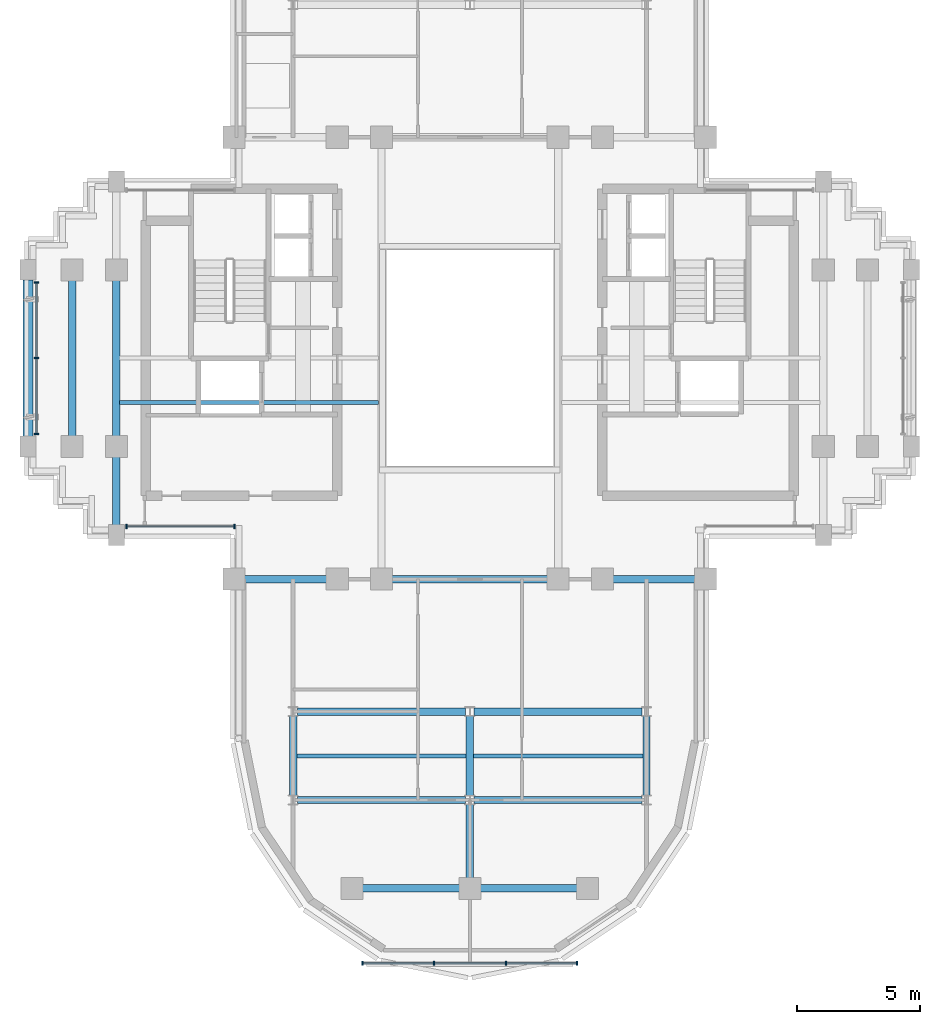
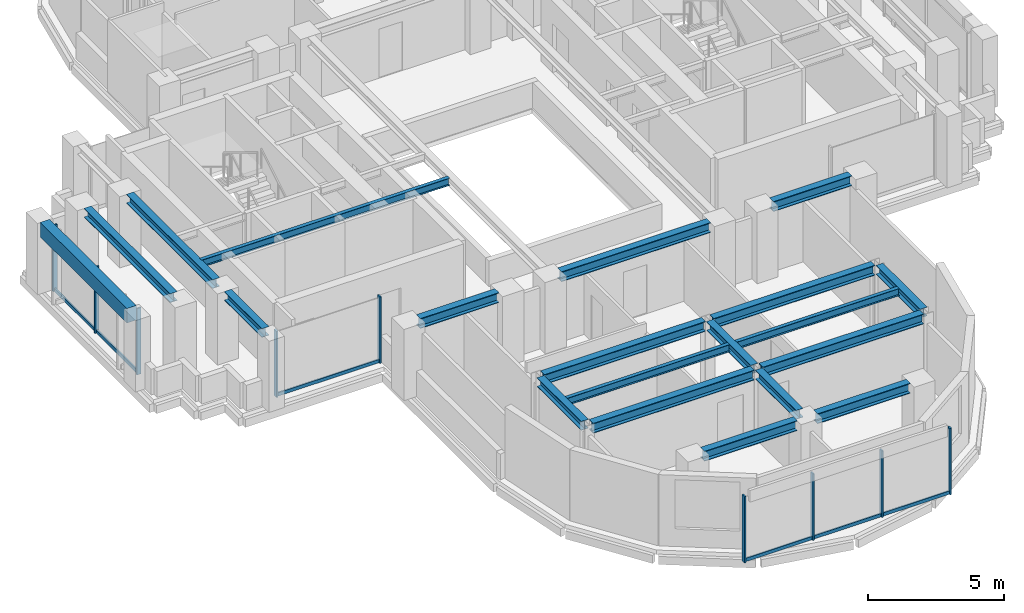
# One storey, part 2 of 11: 20 beams, 15 members, 3 elements without a shape of their own.
"""IFC4 building model written with IfcOpenShell, lengths in metres."""

from ifc_helpers import new_model, si_unit, direction, frame, origin, origin_2d, place, context, subcontext, project, spatial, rectangle, i_section, extrude, source, transform, mapped, material, material_profile, profile_set, type_object, element, aggregate, save


model = new_model("IFC4")

# Units and contexts
model_context = context("Model", 3, precision=1e-05, world=origin(), true_north=direction((0.0, 1.0)))
body_context = subcontext(model_context, "Body", "Model", "MODEL_VIEW")
ifc_project = project(units=[si_unit("LENGTHUNIT", "METRE"), si_unit("AREAUNIT", "SQUARE_METRE"), si_unit("VOLUMEUNIT", "CUBIC_METRE"), si_unit("PLANEANGLEUNIT", "RADIAN"), si_unit("MASSUNIT", "GRAM", prefix="KILO")], contexts=[model_context])

# Site, building, storey
site_placement = place(None, origin())
site = spatial("IfcSite", under=ifc_project, at=site_placement, CompositionType="ELEMENT")
building_placement = place(site_placement, origin())
building = spatial("IfcBuilding", under=site, at=building_placement, Name="Keilestroom Media Tower", CompositionType="ELEMENT")
storey_placement = place(building_placement, frame((0.0, 0.0, 204.60009765625)))
storey = spatial("IfcBuildingStorey", under=building, at=storey_placement, Name="L56", CompositionType="ELEMENT", Elevation=204.60009765625)

# Beams
ifc_material_1 = material(Name="Steel S355", Category="steel")
ifc_material_profile_1 = material_profile(ifc_material_1, i_section(OverallWidth=0.300048828125, OverallDepth=0.449951171875, WebThickness=0.011962890625, FlangeThickness=0.02587890625, at=origin_2d()), Name="HEB 450")
ifc_profile_set_1 = profile_set([ifc_material_profile_1], Name="Steel S355")
beam_type_1 = type_object("IfcBeamType", Name="Primary-Structural-Girder-HEB-450", PredefinedType="BEAM", material=ifc_profile_set_1)
shared_shape_1 = source(origin(), body_context, "Body", "SweptSolid", [
    extrude(i_section(OverallWidth=0.300048828125, OverallDepth=0.449951171875, WebThickness=0.011962890625, FlangeThickness=0.02587890625, at=origin_2d()), origin(), (0.0, 0.0, 1.0), 3.940185546875),
])
for number, where, z_axis, x_axis, name in (
    (1, (-4.3701171875, -21.60009765625, 2.974853515625), (1.0, 0.0, 0.0), (0.0, 1.0, 0.0), "L56 Beam BG-7 BM-L56-EW-001"),
    (2, (0.429931640625, -21.60009765625, 2.974853515625), (1.0, 0.0, 0.0), (0.0, 1.0, 0.0), "L56 Beam BG-7 BM-L56-EW-002"),
):
    element("IfcBeam", number, at=place(storey_placement, frame(where, z_axis=z_axis, x_axis=x_axis)), inside=storey, type_object=beam_type_1, Name=name, PredefinedType="BEAM", context=body_context, shape_type="MappedRepresentation", body=[
        mapped(shared_shape_1, transform((0.0, 0.0, 0.0), x_axis=(1.0, 0.0, 0.0), y_axis=(0.0, 1.0, 0.0), z_axis=(0.0, 0.0, 1.0), scale=1.0)),
    ])
shared_shape_2 = source(origin(), body_context, "Body", "SweptSolid", [
    extrude(i_section(OverallWidth=0.300048828125, OverallDepth=0.449951171875, WebThickness=0.011962890625, FlangeThickness=0.02587890625, at=origin_2d()), origin(), (0.0, 0.0, 1.0), 6.842041015625),
])
for number, where, z_axis, x_axis, name in (
    (3, (-7.02099609375, -18.0, 2.974853515625), (1.0, 0.0, 0.0), (0.0, 1.0, 0.0), "L56 Beam BG-7 BM-L56-EW-003"),
    (4, (0.178955078125, -18.0, 2.974853515625), (1.0, 0.0, 0.0), (0.0, 1.0, 0.0), "L56 Beam BG-7 BM-L56-EW-004"),
    (5, (-7.02099609375, -14.39990234375, 2.974853515625), (1.0, 0.0, 0.0), (0.0, 1.0, 0.0), "L56 Beam BG-7 BM-L56-EW-005"),
    (6, (0.178955078125, -14.39990234375, 2.974853515625), (1.0, 0.0, 0.0), (0.0, 1.0, 0.0), "L56 Beam BG-7 BM-L56-EW-006"),
):
    element("IfcBeam", number, at=place(storey_placement, frame(where, z_axis=z_axis, x_axis=x_axis)), inside=storey, type_object=beam_type_1, Name=name, PredefinedType="BEAM", context=body_context, shape_type="MappedRepresentation", body=[
        mapped(shared_shape_2, transform((0.0, 0.0, 0.0), x_axis=(1.0, 0.0, 0.0), y_axis=(0.0, 1.0, 0.0), z_axis=(0.0, 0.0, 1.0), scale=1.0)),
    ])
shared_shape_3 = source(origin(), body_context, "Body", "SweptSolid", [
    extrude(i_section(OverallWidth=0.300048828125, OverallDepth=0.449951171875, WebThickness=0.011962890625, FlangeThickness=0.02587890625, at=origin_2d()), origin(), (0.0, 0.0, 1.0), 3.33984375),
])
for number, where, z_axis, x_axis, name in (
    (7, (-9.169921875, -9.0, 2.974853515625), (1.0, 0.0, 0.0), (0.0, 1.0, 0.0), "L56 Beam BG-7 BM-L56-EW-007"),
    (8, (5.830078125, -9.0, 2.974853515625), (1.0, 0.0, 0.0), (0.0, 1.0, 0.0), "L56 Beam BG-7 BM-L56-EW-011"),
):
    element("IfcBeam", number, at=place(storey_placement, frame(where, z_axis=z_axis, x_axis=x_axis)), inside=storey, type_object=beam_type_1, Name=name, PredefinedType="BEAM", context=body_context, shape_type="MappedRepresentation", body=[
        mapped(shared_shape_3, transform((0.0, 0.0, 0.0), x_axis=(1.0, 0.0, 0.0), y_axis=(0.0, 1.0, 0.0), z_axis=(0.0, 0.0, 1.0), scale=1.0)),
    ])
shared_shape_4 = source(origin(), body_context, "Body", "SweptSolid", [
    extrude(i_section(OverallWidth=0.300048828125, OverallDepth=0.449951171875, WebThickness=0.011962890625, FlangeThickness=0.02587890625, at=origin_2d()), origin(), (0.0, 0.0, 1.0), 6.33984375),
])
beam_1_placement = place(storey_placement, frame((-3.169921875, -9.0, 2.974853515625), z_axis=(1.0, 0.0, 0.0), x_axis=(0.0, 1.0, 0.0)))
element("IfcBeam", 9, at=beam_1_placement, inside=storey, type_object=beam_type_1, Name="L56 Beam BG-7 BM-L56-EW-009", PredefinedType="BEAM", context=body_context, shape_type="MappedRepresentation", body=[
    mapped(shared_shape_4, transform((0.0, 0.0, 0.0), x_axis=(1.0, 0.0, 0.0), y_axis=(0.0, 1.0, 0.0), z_axis=(0.0, 0.0, 1.0), scale=1.0)),
])
ifc_material_2 = material(Name="Precast concrete C40/50", Category="concrete")
ifc_material_profile_2 = material_profile(ifc_material_2, rectangle(XDim=0.39990234375, YDim=0.64990234375, at=origin_2d()), Name="PC 400x650")
ifc_profile_set_2 = profile_set([ifc_material_profile_2], Name="Precast concrete C40/50")
beam_type_2 = type_object("IfcBeamType", Name="Perimeter-Spandrel-Beam-PC-400x650", PredefinedType="SPANDREL", material=ifc_profile_set_2)
shared_shape_5 = source(origin(), body_context, "Body", "SweptSolid", [
    extrude(rectangle(XDim=0.39990234375, YDim=0.64990234375, at=origin_2d()), origin(), (0.0, 0.0, 1.0), 6.39013671875),
])
beam_2_placement = place(storey_placement, frame((-18.0, -3.195068359375, 2.875), z_axis=(0.0, 1.0, 0.0), x_axis=(-1.0, 0.0, 0.0)))
element("IfcBeam", 10, at=beam_2_placement, inside=storey, type_object=beam_type_2, Name="L56 Beam SPB-2 BM-L56-NS-031", PredefinedType="SPANDREL", context=body_context, shape_type="MappedRepresentation", body=[
    mapped(shared_shape_5, transform((0.0, 0.0, 0.0), x_axis=(1.0, 0.0, 0.0), y_axis=(0.0, 1.0, 0.0), z_axis=(0.0, 0.0, 1.0), scale=1.0)),
])
ifc_material_profile_3 = material_profile(ifc_material_1, i_section(OverallWidth=0.300048828125, OverallDepth=0.39990234375, WebThickness=0.011474609375, FlangeThickness=0.02392578125, at=origin_2d()), Name="HEB 400")
ifc_profile_set_3 = profile_set([ifc_material_profile_3], Name="Steel S355")
beam_type_3 = type_object("IfcBeamType", Name="Primary-Structural-Girder-HEB-400", PredefinedType="BEAM", material=ifc_profile_set_3)
shared_shape_6 = source(origin(), body_context, "Body", "SweptSolid", [
    extrude(i_section(OverallWidth=0.300048828125, OverallDepth=0.39990234375, WebThickness=0.011474609375, FlangeThickness=0.02392578125, at=origin_2d()), origin(), (0.0, 0.0, 1.0), 6.33984375),
])
for number, where, z_axis, x_axis, name in (
    (11, (-16.199951171875, -3.169921875, 3.0), (0.0, 1.0, 0.0), (-1.0, 0.0, 0.0), "L56 Beam BG-8 BM-L56-NS-032"),
    (12, (-14.39990234375, -3.169921875, 3.0), (0.0, 1.0, 0.0), (-1.0, 0.0, 0.0), "L56 Beam BG-8 BM-L56-NS-034"),
):
    element("IfcBeam", number, at=place(storey_placement, frame(where, z_axis=z_axis, x_axis=x_axis)), inside=storey, type_object=beam_type_3, Name=name, PredefinedType="BEAM", context=body_context, shape_type="MappedRepresentation", body=[
        mapped(shared_shape_6, transform((0.0, 0.0, 0.0), x_axis=(1.0, 0.0, 0.0), y_axis=(0.0, 1.0, 0.0), z_axis=(0.0, 0.0, 1.0), scale=1.0)),
    ])
shared_shape_7 = source(origin(), body_context, "Body", "SweptSolid", [
    extrude(i_section(OverallWidth=0.300048828125, OverallDepth=0.39990234375, WebThickness=0.011474609375, FlangeThickness=0.02392578125, at=origin_2d()), origin(), (0.0, 0.0, 1.0), 2.764892578125),
])
beam_3_placement = place(storey_placement, frame((-14.39990234375, -6.794921875, 3.0), z_axis=(0.0, 1.0, 0.0), x_axis=(-1.0, 0.0, 0.0)))
element("IfcBeam", 13, at=beam_3_placement, inside=storey, type_object=beam_type_3, Name="L56 Beam BG-8 BM-L56-NS-033", PredefinedType="BEAM", context=body_context, shape_type="MappedRepresentation", body=[
    mapped(shared_shape_7, transform((0.0, 0.0, 0.0), x_axis=(1.0, 0.0, 0.0), y_axis=(0.0, 1.0, 0.0), z_axis=(0.0, 0.0, 1.0), scale=1.0)),
])
shared_shape_8 = source(origin(), body_context, "Body", "SweptSolid", [
    extrude(i_section(OverallWidth=0.300048828125, OverallDepth=0.39990234375, WebThickness=0.011474609375, FlangeThickness=0.02392578125, at=origin_2d()), origin(), (0.0, 0.0, 1.0), 3.2529296875),
])
for number, where, z_axis, x_axis, name in (
    (14, (-7.199951171875, -17.826416015625, 3.0), (0.0, 1.0, 0.0), (-1.0, 0.0, 0.0), "L56 Beam BG-8 BM-L56-NS-037"),
    (15, (0.0, -17.826416015625, 3.0), (0.0, 1.0, 0.0), (-1.0, 0.0, 0.0), "L56 Beam BG-8 BM-L56-NS-042"),
    (16, (7.199951171875, -17.826416015625, 3.0), (0.0, 1.0, 0.0), (-1.0, 0.0, 0.0), "L56 Beam BG-8 BM-L56-NS-047"),
):
    element("IfcBeam", number, at=place(storey_placement, frame(where, z_axis=z_axis, x_axis=x_axis)), inside=storey, type_object=beam_type_3, Name=name, PredefinedType="BEAM", context=body_context, shape_type="MappedRepresentation", body=[
        mapped(shared_shape_8, transform((0.0, 0.0, 0.0), x_axis=(1.0, 0.0, 0.0), y_axis=(0.0, 1.0, 0.0), z_axis=(0.0, 0.0, 1.0), scale=1.0)),
    ])
shared_shape_9 = source(origin(), body_context, "Body", "SweptSolid", [
    extrude(i_section(OverallWidth=0.300048828125, OverallDepth=0.39990234375, WebThickness=0.011474609375, FlangeThickness=0.02392578125, at=origin_2d()), origin(), (0.0, 0.0, 1.0), 2.996337890625),
])
beam_4_placement = place(storey_placement, frame((0.0, -21.169921875, 3.0), z_axis=(0.0, 1.0, 0.0), x_axis=(-1.0, 0.0, 0.0)))
element("IfcBeam", 17, at=beam_4_placement, inside=storey, type_object=beam_type_3, Name="L56 Beam BG-8 BM-L56-NS-041", PredefinedType="BEAM", context=body_context, shape_type="MappedRepresentation", body=[
    mapped(shared_shape_9, transform((0.0, 0.0, 0.0), x_axis=(1.0, 0.0, 0.0), y_axis=(0.0, 1.0, 0.0), z_axis=(0.0, 0.0, 1.0), scale=1.0)),
])
ifc_material_profile_4 = material_profile(ifc_material_1, i_section(OverallWidth=0.159912109375, OverallDepth=0.330078125, WebThickness=0.007568359375, FlangeThickness=0.011474609375, at=origin_2d()), Name="IPE 330")
ifc_profile_set_4 = profile_set([ifc_material_profile_4], Name="Steel S355")
beam_type_4 = type_object("IfcBeamType", Name="Secondary-Floor-Joist-IPE-330", PredefinedType="JOIST", material=ifc_profile_set_4)
shared_shape_10 = source(origin(), body_context, "Body", "SweptSolid", [
    extrude(i_section(OverallWidth=0.159912109375, OverallDepth=0.330078125, WebThickness=0.007568359375, FlangeThickness=0.011474609375, at=origin_2d()), origin(), (0.0, 0.0, 1.0), 6.940185546875),
])
for number, where, z_axis, x_axis, name in (
    (18, (-7.070068359375, -16.199951171875, 3.034912109375), (1.0, 0.0, 0.0), (0.0, 1.0, 0.0), "L56 Beam BJ-6 JST-L56-055"),
    (19, (0.1298828125, -16.199951171875, 3.034912109375), (1.0, 0.0, 0.0), (0.0, 1.0, 0.0), "L56 Beam BJ-6 JST-L56-056"),
):
    element("IfcBeam", number, at=place(storey_placement, frame(where, z_axis=z_axis, x_axis=x_axis)), inside=storey, type_object=beam_type_4, Name=name, PredefinedType="JOIST", context=body_context, shape_type="MappedRepresentation", body=[
        mapped(shared_shape_10, transform((0.0, 0.0, 0.0), x_axis=(1.0, 0.0, 0.0), y_axis=(0.0, 1.0, 0.0), z_axis=(0.0, 0.0, 1.0), scale=1.0)),
    ])
shared_shape_11 = source(origin(), body_context, "Body", "SweptSolid", [
    extrude(i_section(OverallWidth=0.159912109375, OverallDepth=0.330078125, WebThickness=0.007568359375, FlangeThickness=0.011474609375, at=origin_2d()), origin(), (0.0, 0.0, 1.0), 10.5400390625),
])
beam_5_placement = place(storey_placement, frame((-14.27001953125, -1.800048828125, 3.034912109375), z_axis=(1.0, 0.0, 0.0), x_axis=(0.0, 1.0, 0.0)))
element("IfcBeam", 20, at=beam_5_placement, inside=storey, type_object=beam_type_4, Name="L56 Beam BJ-6 JST-L56-057", PredefinedType="JOIST", context=body_context, shape_type="MappedRepresentation", body=[
    mapped(shared_shape_11, transform((0.0, 0.0, 0.0), x_axis=(1.0, 0.0, 0.0), y_axis=(0.0, 1.0, 0.0), z_axis=(0.0, 0.0, 1.0), scale=1.0)),
])

# Curtain wall, members
ifc_material_3 = material(Name="Anodised Aluminium Alloy", Category="aluminium")
curtain_wall_type_1 = type_object("IfcCurtainWallType", Name="Unitised-Curtain-Wall-CW-6", PredefinedType="NOTDEFINED", material=ifc_material_3)
curtain_wall_1_placement = place(storey_placement, origin())
curtain_wall_1 = element("IfcCurtainWall", 21, at=curtain_wall_1_placement, inside=storey, type_object=curtain_wall_type_1, Name="L56 Curtain Wall CW-6 CW-L56-LS-1", PredefinedType="NOTDEFINED")
ifc_material_profile_5 = material_profile(ifc_material_3, rectangle(XDim=0.06494140625, YDim=0.179931640625, at=origin_2d()), Name="ALU MULLION 65x180")
ifc_profile_set_5 = profile_set([ifc_material_profile_5], Name="Anodised Aluminium Alloy")
member_type_1 = type_object("IfcMemberType", Name="Curtain-Wall-Mullion-CW-6", PredefinedType="MULLION", material=ifc_profile_set_5)
shared_shape_12 = source(origin(), body_context, "Body", "SweptSolid", [
    extrude(rectangle(XDim=0.06494140625, YDim=0.179931640625, at=origin_2d()), origin(), (0.0, 0.0, 1.0), 2.97998046875),
])
member_1_placement = place(storey_placement, frame((-4.367431640625, -24.64990234375, 0.0), z_axis=(0.0, 0.0, 1.0), x_axis=(1.0, 0.0, 0.0)))
member_1 = element("IfcMember", 22, at=member_1_placement, type_object=member_type_1, Name="CW-6 Mullion 00", PredefinedType="MULLION", context=body_context, shape_type="MappedRepresentation", body=[
    mapped(shared_shape_12, transform((0.0, 0.0, 0.0), x_axis=(1.0, 0.0, 0.0), y_axis=(0.0, 1.0, 0.0), z_axis=(0.0, 0.0, 1.0), scale=1.0)),
])
member_2_placement = place(storey_placement, frame((-1.466796875, -24.64990234375, 0.0), z_axis=(0.0, 0.0, 1.0), x_axis=(1.0, 0.0, 0.0)))
member_2 = element("IfcMember", 23, at=member_2_placement, type_object=member_type_1, Name="CW-6 Mullion 01", PredefinedType="MULLION", context=body_context, shape_type="MappedRepresentation", body=[
    mapped(shared_shape_12, transform((0.0, 0.0, 0.0), x_axis=(1.0, 0.0, 0.0), y_axis=(0.0, 1.0, 0.0), z_axis=(0.0, 0.0, 1.0), scale=1.0)),
])
member_3_placement = place(storey_placement, frame((1.466796875, -24.64990234375, 0.0), z_axis=(0.0, 0.0, 1.0), x_axis=(1.0, 0.0, 0.0)))
member_3 = element("IfcMember", 24, at=member_3_placement, type_object=member_type_1, Name="CW-6 Mullion 02", PredefinedType="MULLION", context=body_context, shape_type="MappedRepresentation", body=[
    mapped(shared_shape_12, transform((0.0, 0.0, 0.0), x_axis=(1.0, 0.0, 0.0), y_axis=(0.0, 1.0, 0.0), z_axis=(0.0, 0.0, 1.0), scale=1.0)),
])
member_4_placement = place(storey_placement, frame((4.367431640625, -24.64990234375, 0.0), z_axis=(0.0, 0.0, 1.0), x_axis=(1.0, 0.0, 0.0)))
member_4 = element("IfcMember", 25, at=member_4_placement, type_object=member_type_1, Name="CW-6 Mullion 03", PredefinedType="MULLION", context=body_context, shape_type="MappedRepresentation", body=[
    mapped(shared_shape_12, transform((0.0, 0.0, 0.0), x_axis=(1.0, 0.0, 0.0), y_axis=(0.0, 1.0, 0.0), z_axis=(0.0, 0.0, 1.0), scale=1.0)),
])
ifc_material_profile_6 = material_profile(ifc_material_3, rectangle(XDim=0.06494140625, YDim=0.14990234375, at=origin_2d()), Name="ALU TRANSOM 65x150")
ifc_profile_set_6 = profile_set([ifc_material_profile_6], Name="Anodised Aluminium Alloy")
member_type_2 = type_object("IfcMemberType", Name="Curtain-Wall-Transom-CW-6", PredefinedType="USERDEFINED", material=ifc_profile_set_6)
shared_shape_13 = source(origin(), body_context, "Body", "SweptSolid", [
    extrude(rectangle(XDim=0.06494140625, YDim=0.14990234375, at=origin_2d()), origin(), (0.0, 0.0, 1.0), 2.839599609375),
])
member_5_placement = place(storey_placement, frame((-4.3369140625, -24.64990234375, 0.074951171875), z_axis=(1.0, 0.0, 0.0), x_axis=(0.0, 1.0, 0.0)))
member_5 = element("IfcMember", 26, at=member_5_placement, type_object=member_type_2, Name="CW-6 Transom 00.1", ObjectType="TRANSOM", PredefinedType="USERDEFINED", context=body_context, shape_type="MappedRepresentation", body=[
    mapped(shared_shape_13, transform((0.0, 0.0, 0.0), x_axis=(1.0, 0.0, 0.0), y_axis=(0.0, 1.0, 0.0), z_axis=(0.0, 0.0, 1.0), scale=1.0)),
])
member_6_placement = place(storey_placement, frame((1.497314453125, -24.64990234375, 0.074951171875), z_axis=(1.0, 0.0, 0.0), x_axis=(0.0, 1.0, 0.0)))
member_6 = element("IfcMember", 27, at=member_6_placement, type_object=member_type_2, Name="CW-6 Transom 02.1", ObjectType="TRANSOM", PredefinedType="USERDEFINED", context=body_context, shape_type="MappedRepresentation", body=[
    mapped(shared_shape_13, transform((0.0, 0.0, 0.0), x_axis=(1.0, 0.0, 0.0), y_axis=(0.0, 1.0, 0.0), z_axis=(0.0, 0.0, 1.0), scale=1.0)),
])
shared_shape_14 = source(origin(), body_context, "Body", "SweptSolid", [
    extrude(rectangle(XDim=0.06494140625, YDim=0.14990234375, at=origin_2d()), origin(), (0.0, 0.0, 1.0), 2.87255859375),
])
member_7_placement = place(storey_placement, frame((-1.436279296875, -24.64990234375, 0.074951171875), z_axis=(1.0, 0.0, 0.0), x_axis=(0.0, 1.0, 0.0)))
member_7 = element("IfcMember", 28, at=member_7_placement, type_object=member_type_2, Name="CW-6 Transom 01.1", ObjectType="TRANSOM", PredefinedType="USERDEFINED", context=body_context, shape_type="MappedRepresentation", body=[
    mapped(shared_shape_14, transform((0.0, 0.0, 0.0), x_axis=(1.0, 0.0, 0.0), y_axis=(0.0, 1.0, 0.0), z_axis=(0.0, 0.0, 1.0), scale=1.0)),
])
aggregate(curtain_wall_1, [member_1, member_2, member_3, member_4, member_5, member_7, member_6])

curtain_wall_type_2 = type_object("IfcCurtainWallType", Name="Unitised-Curtain-Wall-CW-3", PredefinedType="NOTDEFINED", material=ifc_material_3)
curtain_wall_2_placement = place(storey_placement, origin())
curtain_wall_2 = element("IfcCurtainWall", 29, at=curtain_wall_2_placement, inside=storey, type_object=curtain_wall_type_2, Name="L56 Curtain Wall CW-3 CW-L56-W-1", PredefinedType="NOTDEFINED")
ifc_material_profile_7 = material_profile(ifc_material_3, rectangle(XDim=0.06494140625, YDim=0.179931640625, at=origin_2d()), Name="ALU MULLION 65x180")
ifc_profile_set_7 = profile_set([ifc_material_profile_7], Name="Anodised Aluminium Alloy")
member_type_3 = type_object("IfcMemberType", Name="Curtain-Wall-Mullion-CW-3", PredefinedType="MULLION", material=ifc_profile_set_7)
shared_shape_15 = source(origin(), body_context, "Body", "SweptSolid", [
    extrude(rectangle(XDim=0.06494140625, YDim=0.179931640625, at=origin_2d()), origin(), (0.0, 0.0, 1.0), 2.97998046875),
])
member_8_placement = place(storey_placement, frame((-17.64990234375, -3.08251953125, 0.0), z_axis=(0.0, 0.0, 1.0), x_axis=(0.0, 1.0, 0.0)))
member_8 = element("IfcMember", 30, at=member_8_placement, type_object=member_type_3, Name="CW-3 Mullion 00", PredefinedType="MULLION", context=body_context, shape_type="MappedRepresentation", body=[
    mapped(shared_shape_15, transform((0.0, 0.0, 0.0), x_axis=(1.0, 0.0, 0.0), y_axis=(0.0, 1.0, 0.0), z_axis=(0.0, 0.0, 1.0), scale=1.0)),
])
member_9_placement = place(storey_placement, frame((-17.64990234375, 0.0, 0.0), z_axis=(0.0, 0.0, 1.0), x_axis=(0.0, 1.0, 0.0)))
member_9 = element("IfcMember", 31, at=member_9_placement, type_object=member_type_3, Name="CW-3 Mullion 01", PredefinedType="MULLION", context=body_context, shape_type="MappedRepresentation", body=[
    mapped(shared_shape_15, transform((0.0, 0.0, 0.0), x_axis=(1.0, 0.0, 0.0), y_axis=(0.0, 1.0, 0.0), z_axis=(0.0, 0.0, 1.0), scale=1.0)),
])
member_10_placement = place(storey_placement, frame((-17.64990234375, 3.08251953125, 0.0), z_axis=(0.0, 0.0, 1.0), x_axis=(0.0, 1.0, 0.0)))
member_10 = element("IfcMember", 32, at=member_10_placement, type_object=member_type_3, Name="CW-3 Mullion 02", PredefinedType="MULLION", context=body_context, shape_type="MappedRepresentation", body=[
    mapped(shared_shape_15, transform((0.0, 0.0, 0.0), x_axis=(1.0, 0.0, 0.0), y_axis=(0.0, 1.0, 0.0), z_axis=(0.0, 0.0, 1.0), scale=1.0)),
])

curtain_wall_3_placement = place(storey_placement, origin())
curtain_wall_3 = element("IfcCurtainWall", 33, at=curtain_wall_3_placement, inside=storey, type_object=curtain_wall_type_2, Name="L56 Curtain Wall CW-3 CW-L56-SW-1", PredefinedType="NOTDEFINED")
member_11_placement = place(storey_placement, frame((-13.982421875, -6.85009765625, 0.0), z_axis=(0.0, 0.0, 1.0), x_axis=(1.0, 0.0, 0.0)))
member_11 = element("IfcMember", 34, at=member_11_placement, type_object=member_type_3, Name="CW-3 Mullion 00", PredefinedType="MULLION", context=body_context, shape_type="MappedRepresentation", body=[
    mapped(shared_shape_15, transform((0.0, 0.0, 0.0), x_axis=(1.0, 0.0, 0.0), y_axis=(0.0, 1.0, 0.0), z_axis=(0.0, 0.0, 1.0), scale=1.0)),
])
member_12_placement = place(storey_placement, frame((-9.58251953125, -6.85009765625, 0.0), z_axis=(0.0, 0.0, 1.0), x_axis=(1.0, 0.0, 0.0)))
member_12 = element("IfcMember", 35, at=member_12_placement, type_object=member_type_3, Name="CW-3 Mullion 01", PredefinedType="MULLION", context=body_context, shape_type="MappedRepresentation", body=[
    mapped(shared_shape_15, transform((0.0, 0.0, 0.0), x_axis=(1.0, 0.0, 0.0), y_axis=(0.0, 1.0, 0.0), z_axis=(0.0, 0.0, 1.0), scale=1.0)),
])
ifc_material_profile_8 = material_profile(ifc_material_3, rectangle(XDim=0.06494140625, YDim=0.14990234375, at=origin_2d()), Name="ALU TRANSOM 65x150")
ifc_profile_set_8 = profile_set([ifc_material_profile_8], Name="Anodised Aluminium Alloy")
member_type_4 = type_object("IfcMemberType", Name="Curtain-Wall-Transom-CW-3", PredefinedType="USERDEFINED", material=ifc_profile_set_8)
shared_shape_16 = source(origin(), body_context, "Body", "SweptSolid", [
    extrude(rectangle(XDim=0.06494140625, YDim=0.14990234375, at=origin_2d()), origin(), (0.0, 0.0, 1.0), 4.3388671875),
])
member_13_placement = place(storey_placement, frame((-13.951904296875, -6.85009765625, 0.074951171875), z_axis=(1.0, 0.0, 0.0), x_axis=(0.0, 1.0, 0.0)))
member_13 = element("IfcMember", 36, at=member_13_placement, type_object=member_type_4, Name="CW-3 Transom 00.1", ObjectType="TRANSOM", PredefinedType="USERDEFINED", context=body_context, shape_type="MappedRepresentation", body=[
    mapped(shared_shape_16, transform((0.0, 0.0, 0.0), x_axis=(1.0, 0.0, 0.0), y_axis=(0.0, 1.0, 0.0), z_axis=(0.0, 0.0, 1.0), scale=1.0)),
])
aggregate(curtain_wall_3, [member_11, member_12, member_13])

# Member
shared_shape_17 = source(origin(), body_context, "Body", "SweptSolid", [
    extrude(rectangle(XDim=0.06494140625, YDim=0.14990234375, at=origin_2d()), origin(), (0.0, 0.0, 1.0), 3.021484375),
])
member_14_placement = place(storey_placement, frame((-17.64990234375, -3.052001953125, 0.074951171875), z_axis=(0.0, 1.0, 0.0), x_axis=(-1.0, 0.0, 0.0)))
member_14 = element("IfcMember", 37, at=member_14_placement, type_object=member_type_4, Name="CW-3 Transom 00.1", ObjectType="TRANSOM", PredefinedType="USERDEFINED", context=body_context, shape_type="MappedRepresentation", body=[
    mapped(shared_shape_17, transform((0.0, 0.0, 0.0), x_axis=(1.0, 0.0, 0.0), y_axis=(0.0, 1.0, 0.0), z_axis=(0.0, 0.0, 1.0), scale=1.0)),
])

member_15_placement = place(storey_placement, frame((-17.64990234375, 0.030517578125, 0.074951171875), z_axis=(0.0, 1.0, 0.0), x_axis=(-1.0, 0.0, 0.0)))
member_15 = element("IfcMember", 38, at=member_15_placement, type_object=member_type_4, Name="CW-3 Transom 01.1", ObjectType="TRANSOM", PredefinedType="USERDEFINED", context=body_context, shape_type="MappedRepresentation", body=[
    mapped(shared_shape_17, transform((0.0, 0.0, 0.0), x_axis=(1.0, 0.0, 0.0), y_axis=(0.0, 1.0, 0.0), z_axis=(0.0, 0.0, 1.0), scale=1.0)),
])

aggregate(curtain_wall_2, [member_8, member_9, member_10, member_14, member_15])

save(model, "model.ifc")
